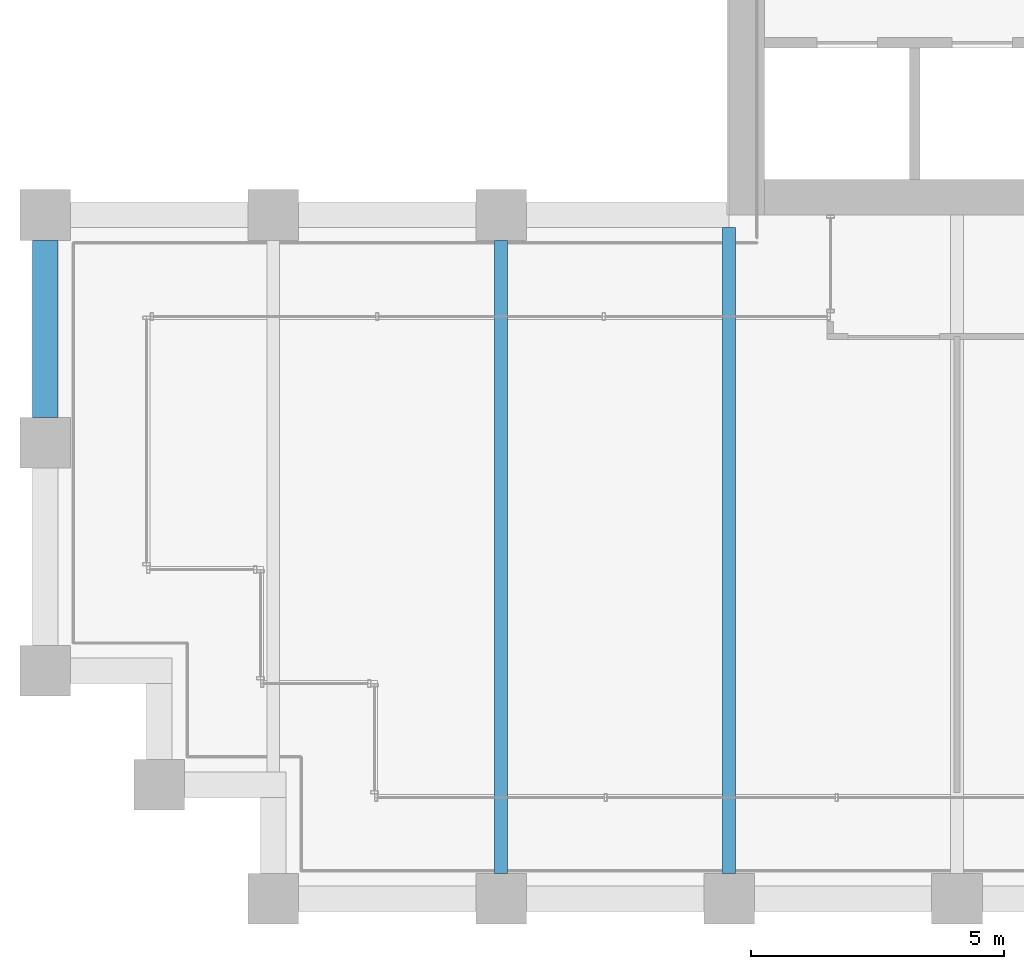
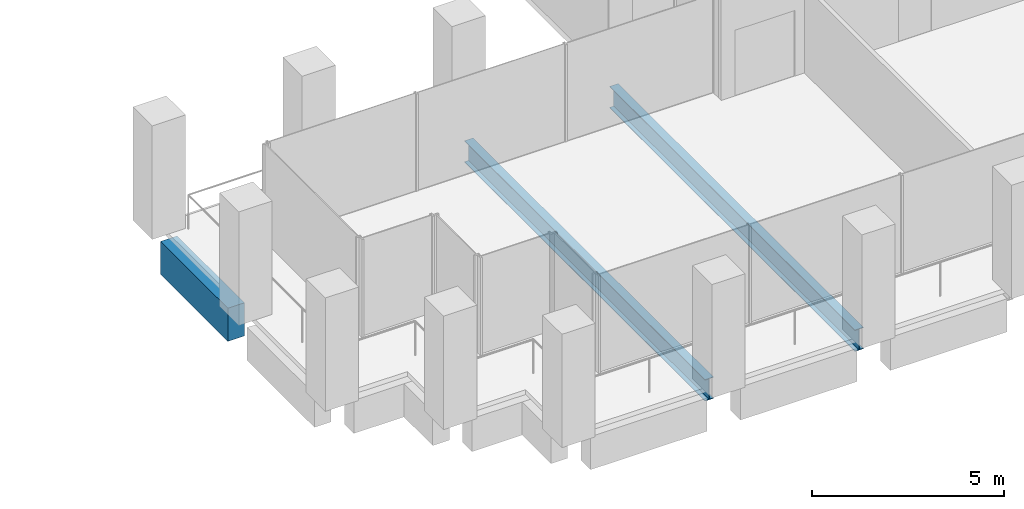
# One storey, part 4 of 46: 3 beams.
"""IFC4 building model written with IfcOpenShell, lengths in metres."""

from ifc_helpers import new_model, si_unit, direction, frame, origin, origin_2d, place, context, subcontext, project, spatial, rectangle, i_section, extrude, material, material_profile, profile_set, type_object, element, save


model = new_model("IFC4")

# Units and contexts
model_context = context("Model", 3, precision=1e-05, world=origin(), true_north=direction((0.0, 1.0)))
body_context = subcontext(model_context, "Body", "Model", "MODEL_VIEW")
ifc_project = project(units=[si_unit("LENGTHUNIT", "METRE"), si_unit("AREAUNIT", "SQUARE_METRE"), si_unit("VOLUMEUNIT", "CUBIC_METRE"), si_unit("PLANEANGLEUNIT", "RADIAN"), si_unit("MASSUNIT", "GRAM", prefix="KILO")], contexts=[model_context])

# Site, building, storey
site_placement = place(None, origin())
site = spatial("IfcSite", under=ifc_project, at=site_placement, CompositionType="ELEMENT")
building_placement = place(site_placement, origin())
building = spatial("IfcBuilding", under=site, at=building_placement, Name="Altepetl Exchange Towers", CompositionType="ELEMENT")
storey_placement = place(building_placement, frame((0.0, 0.0, 128.0)))
storey = spatial("IfcBuildingStorey", under=building, at=storey_placement, Name="L31", CompositionType="ELEMENT", Elevation=128.0)

# Beams
ifc_material_1 = material(Name="Steel S355", Category="steel")
ifc_material_profile_1 = material_profile(ifc_material_1, i_section(OverallWidth=0.25390625, OverallDepth=0.68408203125, WebThickness=0.012451171875, FlangeThickness=0.018798828125, at=origin_2d()), Name="W27X94")
ifc_profile_set_1 = profile_set([ifc_material_profile_1], Name="Steel S355")
beam_type_1 = type_object("IfcBeamType", Name="Floor beam W27X94", PredefinedType="BEAM", material=ifc_profile_set_1)
beam_1_placement = place(storey_placement, frame((36.0, 27.5, -0.491943359375), z_axis=(0.0, 1.0, 0.0), x_axis=(-1.0, 0.0, 0.0)))
element("IfcBeam", 1, at=beam_1_placement, inside=storey, type_object=beam_type_1, Name="bm:A:L31:013", PredefinedType="BEAM", context=body_context, shape_type="SweptSolid", body=[
    extrude(i_section(OverallWidth=0.25390625, OverallDepth=0.68408203125, WebThickness=0.012451171875, FlangeThickness=0.018798828125, at=origin_2d()), origin(), (0.0, 0.0, 1.0), 12.5),
])
beam_2_placement = place(storey_placement, frame((40.5, 27.5, -0.491943359375), z_axis=(0.0, 1.0, 0.0), x_axis=(-1.0, 0.0, 0.0)))
element("IfcBeam", 2, at=beam_2_placement, inside=storey, type_object=beam_type_1, Name="bm:A:L31:014", PredefinedType="BEAM", context=body_context, shape_type="SweptSolid", body=[
    extrude(i_section(OverallWidth=0.25390625, OverallDepth=0.68408203125, WebThickness=0.012451171875, FlangeThickness=0.018798828125, at=origin_2d()), origin(), (0.0, 0.0, 1.0), 12.75),
])
ifc_material_2 = material(Name="Concrete C50/60 precast with cantera blanca facing", Category="concrete")
ifc_material_profile_2 = material_profile(ifc_material_2, rectangle(XDim=0.5, YDim=1.050048828125, at=origin_2d()), Name="500 x 1050")
ifc_profile_set_2 = profile_set([ifc_material_profile_2], Name="Concrete C50/60 precast with cantera blanca facing")
beam_type_2 = type_object("IfcBeamType", Name="Spandrel beam 500x1050 cantera blanca", PredefinedType="SPANDREL", material=ifc_profile_set_2)
beam_3_placement = place(storey_placement, frame((27.0, 40.0, -0.675048828125), z_axis=(0.0, -1.0, 0.0), x_axis=(1.0, 0.0, 0.0)))
element("IfcBeam", 3, at=beam_3_placement, inside=storey, type_object=beam_type_2, Name="sp:A:L31:036", PredefinedType="SPANDREL", context=body_context, shape_type="SweptSolid", body=[
    extrude(rectangle(XDim=0.5, YDim=1.050048828125, at=origin_2d()), origin(), (0.0, 0.0, 1.0), 3.5),
])

save(model, "model.ifc")
